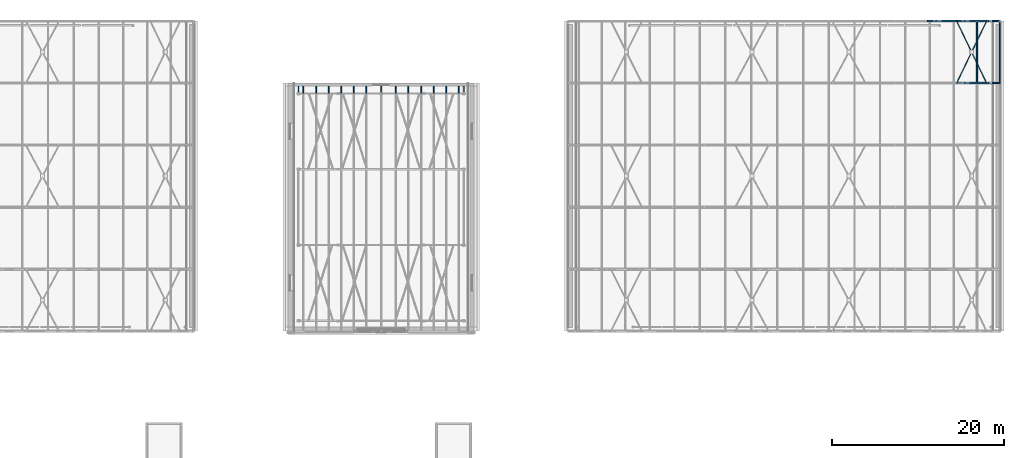
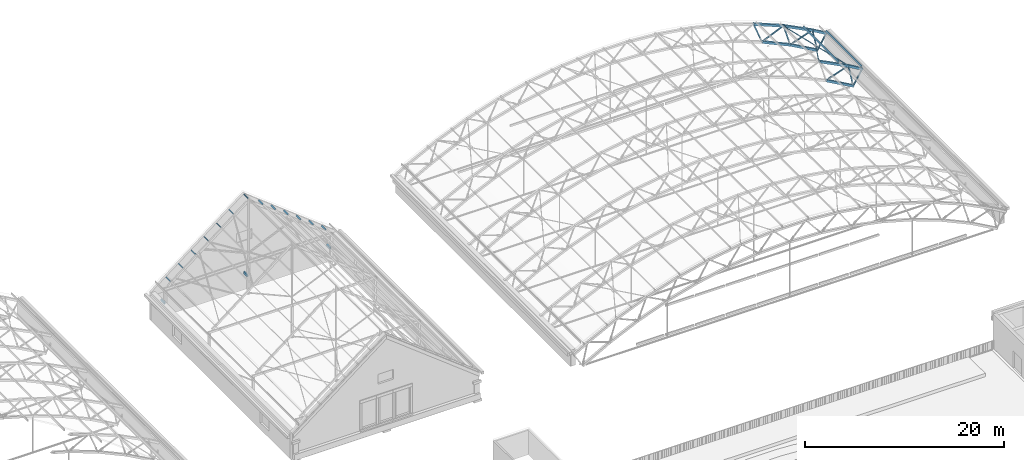
# One storey, part 67 of 127: 35 members, 3 beams.
"""IFC4 building model written with IfcOpenShell, lengths in metres."""

from ifc_helpers import new_model, si_unit, direction, frame, origin, origin_2d, place, context, subcontext, project, spatial, hollow_rectangle, hollow_circle, extrude, material, material_profile, profile_set, type_object, element, save


model = new_model("IFC4")

# Units and contexts
model_context = context("Model", 3, precision=1e-05, world=origin(), true_north=direction((0.0, 1.0)))
body_context = subcontext(model_context, "Body", "Model", "MODEL_VIEW")
ifc_project = project(units=[si_unit("LENGTHUNIT", "METRE"), si_unit("AREAUNIT", "SQUARE_METRE"), si_unit("VOLUMEUNIT", "CUBIC_METRE"), si_unit("PLANEANGLEUNIT", "RADIAN"), si_unit("MASSUNIT", "GRAM", prefix="KILO")], contexts=[model_context])

# Site, building, storey
site_placement = place(None, origin())
site = spatial("IfcSite", under=ifc_project, at=site_placement, CompositionType="ELEMENT")
building_placement = place(site_placement, origin())
building = spatial("IfcBuilding", under=site, at=building_placement, Name="Verrick Yard Athletic Hall", CompositionType="ELEMENT")
storey_placement = place(building_placement, frame((0.0, 0.0, 14.0)))
storey = spatial("IfcBuildingStorey", under=building, at=storey_placement, Name="L03", CompositionType="ELEMENT", Elevation=14.0)

# Members
ifc_material = material(Name="Structural steel HSS Class C 350W (CSA G40.20/G40.21)", Category="steel")
ifc_material_profile_1 = material_profile(ifc_material, hollow_rectangle(XDim=0.25390625, YDim=0.25390625, WallThickness=0.009521484375, at=origin_2d()), Name="HSS254x254x9.5")
ifc_profile_set_1 = profile_set([ifc_material_profile_1], Name="Structural steel HSS Class C 350W (CSA G40.20/G40.21)")
member_type_1 = type_object("IfcMemberType", Name="HB bottom chord HSS254x254x9.5", PredefinedType="CHORD", material=ifc_profile_set_1)
member_1_placement = place(storey_placement, frame((166.45654296875, 100.800048828125, 1.757080078125), z_axis=(0.872897627776, 0.0, -0.487903403783), x_axis=(0.0, 1.0, 0.0)))
element("IfcMember", 1, at=member_1_placement, inside=storey, type_object=member_type_1, Name="Truss TA5 bottom chord 14", PredefinedType="CHORD", context=body_context, shape_type="SweptSolid", body=[
    extrude(hollow_rectangle(XDim=0.25390625, YDim=0.25390625, WallThickness=0.009521484375, at=origin_2d()), origin(), (0.0, 0.0, 1.0), 3.601318359375),
])
member_2_placement = place(storey_placement, frame((163.180908203125, 108.0, 3.2646484375), z_axis=(0.908445597889, 0.0, -0.418003104865), x_axis=(0.0, 1.0, 0.0)))
element("IfcMember", 2, at=member_2_placement, inside=storey, type_object=member_type_1, Name="Truss TA6 bottom chord 13", PredefinedType="CHORD", context=body_context, shape_type="SweptSolid", body=[
    extrude(hollow_rectangle(XDim=0.25390625, YDim=0.25390625, WallThickness=0.009521484375, at=origin_2d()), origin(), (0.0, 0.0, 1.0), 3.59619140625),
])
member_3_placement = place(storey_placement, frame((166.45654296875, 108.0, 1.757080078125), z_axis=(0.872897627776, 0.0, -0.487903403783), x_axis=(0.0, 1.0, 0.0)))
element("IfcMember", 3, at=member_3_placement, inside=storey, type_object=member_type_1, Name="Truss TA6 bottom chord 14", PredefinedType="CHORD", context=body_context, shape_type="SweptSolid", body=[
    extrude(hollow_rectangle(XDim=0.25390625, YDim=0.25390625, WallThickness=0.009521484375, at=origin_2d()), origin(), (0.0, 0.0, 1.0), 3.601318359375),
])

# Beams
ifc_material_profile_2 = material_profile(ifc_material, hollow_rectangle(XDim=0.15234375, YDim=0.25390625, WallThickness=0.009521484375, at=origin_2d()), Name="HSS254x152x9.5")
ifc_profile_set_2 = profile_set([ifc_material_profile_2], Name="Structural steel HSS Class C 350W (CSA G40.20/G40.21)")
beam_type = type_object("IfcBeamType", Name="HB buttress strut HSS254x152x9.5", PredefinedType="BEAM", material=ifc_profile_set_2)
for number, where, z_axis, x_axis, name in (
    (4, (89.199951171875, 99.72705078125, 2.14990234375), (0.0, 1.0, 0.0), (-1.0, 0.0, 0.0), "HB-BU-C1-4"),
    (5, (98.800048828125, 99.72705078125, 2.14990234375), (0.0, 1.0, 0.0), (-1.0, 0.0, 0.0), "HB-BU-C2-4"),
    (6, (108.39990234375, 99.72705078125, 2.14990234375), (0.0, 1.0, 0.0), (-1.0, 0.0, 0.0), "HB-BU-C3-4"),
):
    element("IfcBeam", number, at=place(storey_placement, frame(where, z_axis=z_axis, x_axis=x_axis)), inside=storey, type_object=beam_type, Name=name, PredefinedType="BEAM", context=body_context, shape_type="SweptSolid", body=[
        extrude(hollow_rectangle(XDim=0.15234375, YDim=0.25390625, WallThickness=0.009521484375, at=origin_2d()), origin(), (0.0, 0.0, 1.0), 0.722900390625),
    ])

# Members
ifc_material_profile_3 = material_profile(ifc_material, hollow_rectangle(XDim=0.1015625, YDim=0.203125, WallThickness=0.009521484375, at=origin_2d()), Name="HSS203x102x9.5")
ifc_profile_set_3 = profile_set([ifc_material_profile_3], Name="Structural steel HSS Class C 350W (CSA G40.20/G40.21)")
member_type_2 = type_object("IfcMemberType", Name="HB purlin HSS203x102x9.5", PredefinedType="PURLIN", material=ifc_profile_set_3)
for number, where, z_axis, x_axis, name in (
    (7, (167.965087890625, 100.800048828125, 3.44873046875), (0.0, 1.0, 0.0), (-0.891352741199, 0.0, 0.453310369126), "HB-PU-A-5-17"),
    (8, (170.60302734375, 100.800048828125, 1.99462890625), (0.0, 1.0, 0.0), (-0.86316809178, 0.0, 0.504916671673), "HB-PU-A-5-18"),
):
    element("IfcMember", number, at=place(storey_placement, frame(where, z_axis=z_axis, x_axis=x_axis)), inside=storey, type_object=member_type_2, Name=name, PredefinedType="PURLIN", context=body_context, shape_type="SweptSolid", body=[
        extrude(hollow_rectangle(XDim=0.1015625, YDim=0.203125, WallThickness=0.009521484375, at=origin_2d()), origin(), (0.0, 0.0, 1.0), 7.199951171875),
    ])
ifc_material_profile_4 = material_profile(ifc_material, hollow_circle(Radius=0.05712890625, WallThickness=0.00634765625, at=origin_2d()), Name="HSS114x6.4")
ifc_profile_set_4 = profile_set([ifc_material_profile_4], Name="Structural steel HSS Class C 350W (CSA G40.20/G40.21)")
member_type_3 = type_object("IfcMemberType", Name="HB roof brace HSS114x6.4", PredefinedType="BRACE", material=ifc_profile_set_4)
member_4_placement = place(storey_placement, frame((165.665283203125, 100.927001953125, 4.362060546875), z_axis=(0.424555063526, 0.879276717205, -0.215929276887), x_axis=(-0.90052090018, 0.434812727895, 0.0)))
element("IfcMember", 9, at=member_4_placement, inside=storey, type_object=member_type_3, Name="HB-BR-A-5-12b1", PredefinedType="BRACE", context=body_context, shape_type="SweptSolid", body=[
    extrude(hollow_circle(Radius=0.05712890625, WallThickness=0.00634765625, at=origin_2d()), origin(), (0.0, 0.0, 1.0), 3.84423828125),
])
member_5_placement = place(storey_placement, frame((167.386962890625, 104.49267578125, 3.486328125), z_axis=(0.424583414443, 0.879267417945, -0.215911398311), x_axis=(-0.900507729965, 0.434840003073, 0.0)))
element("IfcMember", 10, at=member_5_placement, inside=storey, type_object=member_type_3, Name="HB-BR-A-5-12b2", PredefinedType="BRACE", context=body_context, shape_type="SweptSolid", body=[
    extrude(hollow_circle(Radius=0.05712890625, WallThickness=0.00634765625, at=origin_2d()), origin(), (0.0, 0.0, 1.0), 3.844482421875),
])
member_6_placement = place(storey_placement, frame((169.019287109375, 100.927001953125, 2.65625), z_axis=(-0.424568777061, 0.879269637222, 0.215931143203), x_axis=(-0.900514029788, -0.434826956565, 0.0)))
element("IfcMember", 11, at=member_6_placement, inside=storey, type_object=member_type_3, Name="HB-BR-A-5-12a", PredefinedType="BRACE", context=body_context, shape_type="SweptSolid", body=[
    extrude(hollow_circle(Radius=0.05712890625, WallThickness=0.00634765625, at=origin_2d()), origin(), (0.0, 0.0, 1.0), 7.89990234375),
])
ifc_material_profile_5 = material_profile(ifc_material, hollow_rectangle(XDim=0.1015625, YDim=0.15234375, WallThickness=0.008056640625, at=origin_2d()), Name="HSS152x102x7.9")
ifc_profile_set_5 = profile_set([ifc_material_profile_5], Name="Structural steel HSS Class C 350W (CSA G40.20/G40.21)")
member_type_4 = type_object("IfcMemberType", Name="HB roof purlin HSS152x102x7.9", PredefinedType="PURLIN", material=ifc_profile_set_5)
for number, where, z_axis, x_axis, name in (
    (12, (89.78564453125, 99.60009765625, 4.702392578125), (0.0, 1.0, 0.0), (-0.789352213638, 0.0, -0.613940618322), "HB-PU-C-W1-5"),
    (13, (91.245849609375, 99.60009765625, 5.838134765625), (0.0, 1.0, 0.0), (-0.789352213638, 0.0, -0.613940618322), "HB-PU-C-W2-5"),
    (14, (92.706298828125, 99.60009765625, 6.973876953125), (0.0, 1.0, 0.0), (-0.789352213638, 0.0, -0.613940618322), "HB-PU-C-W3-5"),
    (15, (94.16650390625, 99.60009765625, 8.109619140625), (0.0, 1.0, 0.0), (-0.789352213638, 0.0, -0.613940618322), "HB-PU-C-W4-5"),
    (16, (95.626953125, 99.60009765625, 9.245361328125), (0.0, 1.0, 0.0), (-0.789352213638, 0.0, -0.613940618322), "HB-PU-C-W5-5"),
    (17, (97.087158203125, 99.60009765625, 10.38134765625), (0.0, 1.0, 0.0), (-0.789352213638, 0.0, -0.613940618322), "HB-PU-C-W6-5"),
    (18, (107.814453125, 99.60009765625, 4.702392578125), (0.0, 1.0, 0.0), (-0.789352213638, 0.0, 0.613940618322), "HB-PU-C-E1-5"),
    (19, (106.35400390625, 99.60009765625, 5.838134765625), (0.0, 1.0, 0.0), (-0.789352213638, 0.0, 0.613940618322), "HB-PU-C-E2-5"),
    (20, (104.893798828125, 99.60009765625, 6.973876953125), (0.0, 1.0, 0.0), (-0.789352213638, 0.0, 0.613940618322), "HB-PU-C-E3-5"),
    (21, (103.433349609375, 99.60009765625, 8.109619140625), (0.0, 1.0, 0.0), (-0.789352213638, 0.0, 0.613940618322), "HB-PU-C-E4-5"),
    (22, (101.97314453125, 99.60009765625, 9.245361328125), (0.0, 1.0, 0.0), (-0.789352213638, 0.0, 0.613940618322), "HB-PU-C-E5-5"),
    (23, (100.512939453125, 99.60009765625, 10.38134765625), (0.0, 1.0, 0.0), (-0.789352213638, 0.0, 0.613940618322), "HB-PU-C-E6-5"),
    (24, (98.800048828125, 99.60009765625, 11.69384765625), (0.0, 1.0, 0.0), (-1.0, 0.0, 0.0), "HB-PU-C-R-5"),
):
    element("IfcMember", number, at=place(storey_placement, frame(where, z_axis=z_axis, x_axis=x_axis)), inside=storey, type_object=member_type_4, Name=name, PredefinedType="PURLIN", context=body_context, shape_type="SweptSolid", body=[
        extrude(hollow_rectangle(XDim=0.1015625, YDim=0.15234375, WallThickness=0.008056640625, at=origin_2d()), origin(), (0.0, 0.0, 1.0), 0.849853515625),
    ])
ifc_material_profile_6 = material_profile(ifc_material, hollow_rectangle(XDim=0.25390625, YDim=0.25390625, WallThickness=0.009521484375, at=origin_2d()), Name="HSS254x254x9.5")
ifc_profile_set_6 = profile_set([ifc_material_profile_6], Name="Structural steel HSS Class C 350W (CSA G40.20/G40.21)")
member_type_5 = type_object("IfcMemberType", Name="HB top chord HSS254x254x9.5", PredefinedType="CHORD", material=ifc_profile_set_6)
member_7_placement = place(storey_placement, frame((165.669677734375, 100.800048828125, 4.35986328125), z_axis=(0.891336584454, 0.0, -0.453342137037), x_axis=(0.0, 1.0, 0.0)))
element("IfcMember", 25, at=member_7_placement, inside=storey, type_object=member_type_5, Name="Truss TA5 top chord 14", PredefinedType="CHORD", context=body_context, shape_type="SweptSolid", body=[
    extrude(hollow_rectangle(XDim=0.25390625, YDim=0.25390625, WallThickness=0.009521484375, at=origin_2d()), origin(), (0.0, 0.0, 1.0), 3.754150390625),
])
member_8_placement = place(storey_placement, frame((169.0224609375, 100.800048828125, 2.654541015625), z_axis=(0.863174775639, 0.0, -0.504905245269), x_axis=(0.0, 1.0, 0.0)))
element("IfcMember", 26, at=member_8_placement, inside=storey, type_object=member_type_5, Name="Truss TA5 top chord 15", PredefinedType="CHORD", context=body_context, shape_type="SweptSolid", body=[
    extrude(hollow_rectangle(XDim=0.25390625, YDim=0.25390625, WallThickness=0.009521484375, at=origin_2d()), origin(), (0.0, 0.0, 1.0), 1.878173828125),
])
member_9_placement = place(storey_placement, frame((162.1923828125, 108.0, 5.7978515625), z_axis=(0.924139625494, 0.0, -0.382054907823), x_axis=(0.0, 1.0, 0.0)))
element("IfcMember", 27, at=member_9_placement, inside=storey, type_object=member_type_5, Name="Truss TA6 top chord 13", PredefinedType="CHORD", context=body_context, shape_type="SweptSolid", body=[
    extrude(hollow_rectangle(XDim=0.25390625, YDim=0.25390625, WallThickness=0.009521484375, at=origin_2d()), origin(), (0.0, 0.0, 1.0), 3.7529296875),
])
member_10_placement = place(storey_placement, frame((165.669677734375, 108.0, 4.35986328125), z_axis=(0.891336584454, 0.0, -0.453342137037), x_axis=(0.0, 1.0, 0.0)))
element("IfcMember", 28, at=member_10_placement, inside=storey, type_object=member_type_5, Name="Truss TA6 top chord 14", PredefinedType="CHORD", context=body_context, shape_type="SweptSolid", body=[
    extrude(hollow_rectangle(XDim=0.25390625, YDim=0.25390625, WallThickness=0.009521484375, at=origin_2d()), origin(), (0.0, 0.0, 1.0), 3.754150390625),
])
member_11_placement = place(storey_placement, frame((169.0224609375, 108.0, 2.654541015625), z_axis=(0.863174775639, 0.0, -0.504905245269), x_axis=(0.0, 1.0, 0.0)))
element("IfcMember", 29, at=member_11_placement, inside=storey, type_object=member_type_5, Name="Truss TA6 top chord 15", PredefinedType="CHORD", context=body_context, shape_type="SweptSolid", body=[
    extrude(hollow_rectangle(XDim=0.25390625, YDim=0.25390625, WallThickness=0.009521484375, at=origin_2d()), origin(), (0.0, 0.0, 1.0), 1.878173828125),
])
ifc_material_profile_7 = material_profile(ifc_material, hollow_rectangle(XDim=0.126953125, YDim=0.126953125, WallThickness=0.009521484375, at=origin_2d()), Name="HSS127x127x9.5")
ifc_profile_set_7 = profile_set([ifc_material_profile_7], Name="Structural steel HSS Class C 350W (CSA G40.20/G40.21)")
member_type_6 = type_object("IfcMemberType", Name="HB truss end post HSS127x127x9.5", PredefinedType="POST", material=ifc_profile_set_7)
for number, where, z_axis, x_axis, name in (
    (30, (169.667724609375, 100.800048828125, 0.110595703125), (0.521773101112, 0.0, 0.853084304718), (0.0, 1.0, 0.0), "Truss TA5 end post 2"),
    (31, (169.667724609375, 108.0, 0.110595703125), (0.521773101112, 0.0, 0.853084304718), (0.0, 1.0, 0.0), "Truss TA6 end post 2"),
):
    element("IfcMember", number, at=place(storey_placement, frame(where, z_axis=z_axis, x_axis=x_axis)), inside=storey, type_object=member_type_6, Name=name, PredefinedType="POST", context=body_context, shape_type="SweptSolid", body=[
        extrude(hollow_rectangle(XDim=0.126953125, YDim=0.126953125, WallThickness=0.009521484375, at=origin_2d()), origin(), (0.0, 0.0, 1.0), 1.741943359375),
    ])
ifc_material_profile_8 = material_profile(ifc_material, hollow_rectangle(XDim=0.126953125, YDim=0.126953125, WallThickness=0.009521484375, at=origin_2d()), Name="HSS127x127x9.5")
ifc_profile_set_8 = profile_set([ifc_material_profile_8], Name="Structural steel HSS Class C 350W (CSA G40.20/G40.21)")
member_type_7 = type_object("IfcMemberType", Name="HB truss web HSS127x127x9.5", PredefinedType="BRACE", material=ifc_profile_set_8)
member_12_placement = place(storey_placement, frame((166.68701171875, 100.800048828125, 1.841552734375), z_axis=(0.944026930686, 0.0, 0.329868389118), x_axis=(0.0, 1.0, 0.0)))
element("IfcMember", 32, at=member_12_placement, inside=storey, type_object=member_type_7, Name="Truss TA5 web 27", PredefinedType="BRACE", context=body_context, shape_type="SweptSolid", body=[
    extrude(hollow_rectangle(XDim=0.126953125, YDim=0.126953125, WallThickness=0.009521484375, at=origin_2d()), origin(), (0.0, 0.0, 1.0), 2.233642578125),
])
member_13_placement = place(storey_placement, frame((169.068603515625, 100.800048828125, 2.430419921875), z_axis=(0.213603528569, 0.0, -0.976920433087), x_axis=(0.0, 1.0, 0.0)))
element("IfcMember", 33, at=member_13_placement, inside=storey, type_object=member_type_7, Name="Truss end diagonal TA5-28", PredefinedType="BRACE", context=body_context, shape_type="SweptSolid", body=[
    extrude(hollow_rectangle(XDim=0.126953125, YDim=0.126953125, WallThickness=0.009521484375, at=origin_2d()), origin(), (0.0, 0.0, 1.0), 2.261962890625),
])
for number, where, z_axis, x_axis, name in (
    (34, (162.27392578125, 108.0, 5.579345703125), (0.363537858519, 0.0, -0.931579425183), (0.0, 1.0, 0.0), "Truss TA6 web 24"),
    (35, (163.404052734375, 108.0, 3.366943359375), (0.915297302882, 0.0, 0.402778906272), (0.0, 1.0, 0.0), "Truss TA6 web 25"),
    (36, (165.733642578125, 108.0, 4.135498046875), (0.289543214815, 0.0, -0.957164942293), (0.0, 1.0, 0.0), "Truss TA6 web 26"),
    (37, (166.68701171875, 108.0, 1.841552734375), (0.944026930686, 0.0, 0.329868389118), (0.0, 1.0, 0.0), "Truss TA6 web 27"),
):
    element("IfcMember", number, at=place(storey_placement, frame(where, z_axis=z_axis, x_axis=x_axis)), inside=storey, type_object=member_type_7, Name=name, PredefinedType="BRACE", context=body_context, shape_type="SweptSolid", body=[
        extrude(hollow_rectangle(XDim=0.126953125, YDim=0.126953125, WallThickness=0.009521484375, at=origin_2d()), origin(), (0.0, 0.0, 1.0), 2.233642578125),
    ])
member_14_placement = place(storey_placement, frame((169.068603515625, 108.0, 2.430419921875), z_axis=(0.213603528569, 0.0, -0.976920433087), x_axis=(0.0, 1.0, 0.0)))
element("IfcMember", 38, at=member_14_placement, inside=storey, type_object=member_type_7, Name="Truss end diagonal TA6-28", PredefinedType="BRACE", context=body_context, shape_type="SweptSolid", body=[
    extrude(hollow_rectangle(XDim=0.126953125, YDim=0.126953125, WallThickness=0.009521484375, at=origin_2d()), origin(), (0.0, 0.0, 1.0), 2.261962890625),
])

save(model, "model.ifc")
